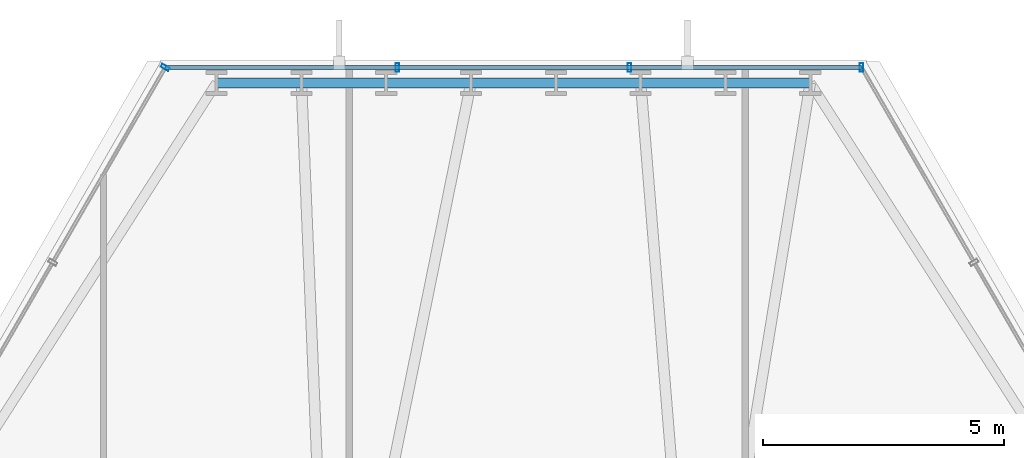
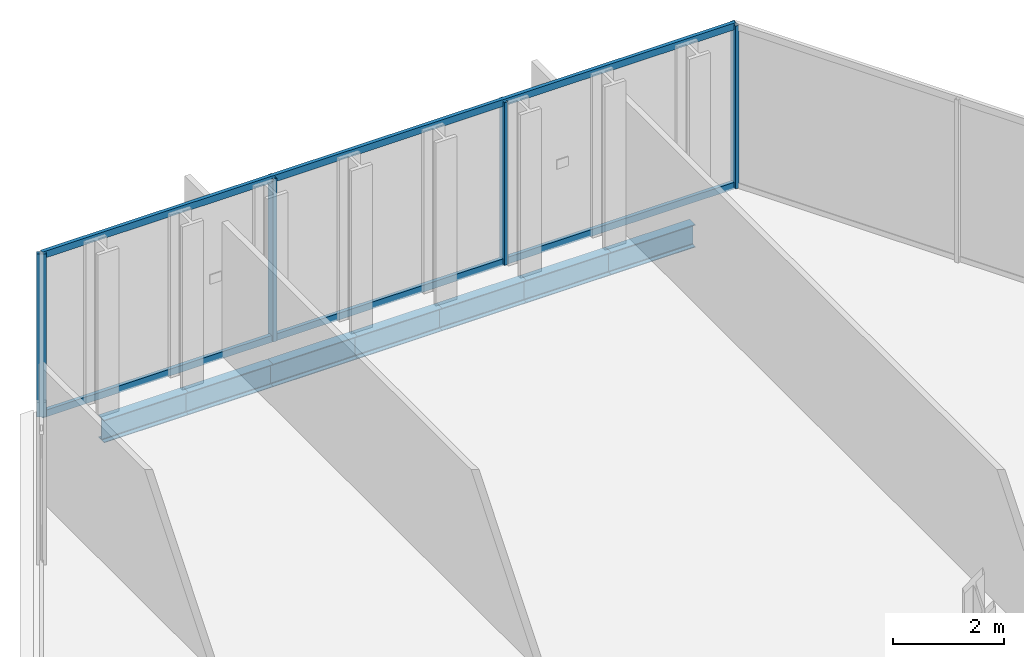
# One storey, part 24 of 33: 7 beams, 6 members, 2 elements without a shape of their own.
"""IFC4 building model written with IfcOpenShell, lengths in metres."""

from ifc_helpers import new_model, si_unit, direction, frame, origin, origin_2d, place, context, subcontext, project, spatial, hollow_rectangle, i_section, extrude, material, layer, layer_set, material_profile, profile_set, type_object, element, aggregate, save


model = new_model("IFC4")

# Units and contexts
model_context = context("Model", 3, precision=1e-05, world=origin(), true_north=direction((0.0, 1.0)))
body_context = subcontext(model_context, "Body", "Model", "MODEL_VIEW")
ifc_project = project(units=[si_unit("LENGTHUNIT", "METRE"), si_unit("AREAUNIT", "SQUARE_METRE"), si_unit("VOLUMEUNIT", "CUBIC_METRE"), si_unit("PLANEANGLEUNIT", "RADIAN"), si_unit("MASSUNIT", "GRAM", prefix="KILO")], contexts=[model_context])

# Site, building, storey
site_placement = place(None, origin())
site = spatial("IfcSite", under=ifc_project, at=site_placement, CompositionType="ELEMENT")
building_placement = place(site_placement, origin())
building = spatial("IfcBuilding", under=site, at=building_placement, Name="Ndaravel Arena Tower", CompositionType="ELEMENT")
storey_placement = place(building_placement, frame((0.0, 0.0, 81.60009765625)))
storey = spatial("IfcBuildingStorey", under=building, at=storey_placement, Name="L18", CompositionType="ELEMENT", Elevation=81.60009765625)

# Beams
ifc_material_1 = material(Name="Steel S355", Category="steel")
ifc_material_profile_1 = material_profile(ifc_material_1, i_section(OverallWidth=0.199951171875, OverallDepth=0.5, WebThickness=0.01025390625, FlangeThickness=0.01611328125, FilletRadius=0.02099609375, at=origin_2d()), Name="IPE 500")
ifc_profile_set_1 = profile_set([ifc_material_profile_1], Name="Steel S355")
beam_type = type_object("IfcBeamType", Name="BM-SPAN-IPE500", PredefinedType="SPANDREL", material=ifc_profile_set_1)
beam_1_placement = place(storey_placement, frame((48.147216796875, 45.575927734375, -0.47021484375), z_axis=(-1.0, 0.0, 0.0), x_axis=(0.0, -1.0, 0.0)))
element("IfcBeam", 1, at=beam_1_placement, inside=storey, type_object=beam_type, Name="L18 Perimeter Spandrel Beam SP-11", PredefinedType="SPANDREL", context=body_context, shape_type="SweptSolid", body=[
    extrude(i_section(OverallWidth=0.199951171875, OverallDepth=0.5, WebThickness=0.01025390625, FlangeThickness=0.01611328125, FilletRadius=0.02099609375, at=origin_2d()), origin(), (0.0, 0.0, 1.0), 1.756591796875),
])
beam_2_placement = place(storey_placement, frame((46.390625, 45.575927734375, -0.47021484375), z_axis=(-1.0, 0.0, 0.0), x_axis=(0.0, -1.0, 0.0)))
element("IfcBeam", 2, at=beam_2_placement, inside=storey, type_object=beam_type, Name="L18 Perimeter Spandrel Beam SP-12", PredefinedType="SPANDREL", context=body_context, shape_type="SweptSolid", body=[
    extrude(i_section(OverallWidth=0.199951171875, OverallDepth=0.5, WebThickness=0.01025390625, FlangeThickness=0.01611328125, FilletRadius=0.02099609375, at=origin_2d()), origin(), (0.0, 0.0, 1.0), 1.756103515625),
])
for number, where, z_axis, x_axis, name in (
    (3, (44.634521484375, 45.575927734375, -0.47021484375), (-1.0, 0.0, 0.0), (0.0, -1.0, 0.0), "L18 Perimeter Spandrel Beam SP-13"),
    (4, (42.878173828125, 45.575927734375, -0.47021484375), (-1.0, 0.0, 0.0), (0.0, -1.0, 0.0), "L18 Perimeter Spandrel Beam SP-14"),
    (5, (41.121826171875, 45.575927734375, -0.47021484375), (-1.0, 0.0, 0.0), (0.0, -1.0, 0.0), "L18 Perimeter Spandrel Beam SP-15"),
):
    element("IfcBeam", number, at=place(storey_placement, frame(where, z_axis=z_axis, x_axis=x_axis)), inside=storey, type_object=beam_type, Name=name, PredefinedType="SPANDREL", context=body_context, shape_type="SweptSolid", body=[
        extrude(i_section(OverallWidth=0.199951171875, OverallDepth=0.5, WebThickness=0.01025390625, FlangeThickness=0.01611328125, FilletRadius=0.02099609375, at=origin_2d()), origin(), (0.0, 0.0, 1.0), 1.75634765625),
    ])
beam_3_placement = place(storey_placement, frame((39.365478515625, 45.575927734375, -0.47021484375), z_axis=(-1.0, 0.0, 0.0), x_axis=(0.0, -1.0, 0.0)))
element("IfcBeam", 6, at=beam_3_placement, inside=storey, type_object=beam_type, Name="L18 Perimeter Spandrel Beam SP-16", PredefinedType="SPANDREL", context=body_context, shape_type="SweptSolid", body=[
    extrude(i_section(OverallWidth=0.199951171875, OverallDepth=0.5, WebThickness=0.01025390625, FlangeThickness=0.01611328125, FilletRadius=0.02099609375, at=origin_2d()), origin(), (0.0, 0.0, 1.0), 1.756103515625),
])
beam_4_placement = place(storey_placement, frame((37.609375, 45.575927734375, -0.47021484375), z_axis=(-1.0, 0.0, 0.0), x_axis=(0.0, -1.0, 0.0)))
element("IfcBeam", 7, at=beam_4_placement, inside=storey, type_object=beam_type, Name="L18 Perimeter Spandrel Beam SP-17", PredefinedType="SPANDREL", context=body_context, shape_type="SweptSolid", body=[
    extrude(i_section(OverallWidth=0.199951171875, OverallDepth=0.5, WebThickness=0.01025390625, FlangeThickness=0.01611328125, FilletRadius=0.02099609375, at=origin_2d()), origin(), (0.0, 0.0, 1.0), 1.756591796875),
])

# Curtain wall, members
ifc_material_2 = material(Name="Aluminium", Category="aluminium")
ifc_layer_1 = layer(ifc_material_2, 0.179931640625)
ifc_layer_set_1 = layer_set([ifc_layer_1], Name="Aluminium")
curtain_wall_type_1 = type_object("IfcCurtainWallType", Name="CW-SYS-01", PredefinedType="NOTDEFINED", material=ifc_layer_set_1)
curtain_wall_1_placement = place(storey_placement, origin())
curtain_wall_1 = element("IfcCurtainWall", 8, at=curtain_wall_1_placement, inside=storey, type_object=curtain_wall_type_1, Name="L18 Faceted Crystal Curtain Wall CW-L18-E04", PredefinedType="NOTDEFINED")
ifc_material_3 = material(Name="Aluminium", Category="aluminium")
ifc_material_profile_2 = material_profile(ifc_material_3, hollow_rectangle(XDim=0.074951171875, YDim=0.179931640625, WallThickness=0.00390625, at=origin_2d()), Name="CW MULLION 75x180x4")
ifc_profile_set_2 = profile_set([ifc_material_profile_2], Name="Aluminium")
member_type_1 = type_object("IfcMemberType", Name="MEM-CW-MUL180", PredefinedType="MULLION", material=ifc_profile_set_2)
member_1_placement = place(storey_placement, frame((49.2099609375, 45.89599609375, 0.0), z_axis=(0.0, 0.0, 1.0), x_axis=(-1.0, 0.0, 0.0)))
member_1 = element("IfcMember", 9, at=member_1_placement, type_object=member_type_1, Name="CW-L18-E04 Mullion 00", PredefinedType="MULLION", context=body_context, shape_type="SweptSolid", body=[
    extrude(hollow_rectangle(XDim=0.074951171875, YDim=0.179931640625, WallThickness=0.00390625, at=origin_2d()), origin(), (0.0, 0.0, 1.0), 3.579833984375),
])
member_2_placement = place(storey_placement, frame((44.4033203125, 45.89599609375, 0.0), z_axis=(0.0, 0.0, 1.0), x_axis=(-1.0, 0.0, 0.0)))
member_2 = element("IfcMember", 10, at=member_2_placement, type_object=member_type_1, Name="CW-L18-E04 Mullion 01", PredefinedType="MULLION", context=body_context, shape_type="SweptSolid", body=[
    extrude(hollow_rectangle(XDim=0.074951171875, YDim=0.179931640625, WallThickness=0.00390625, at=origin_2d()), origin(), (0.0, 0.0, 1.0), 3.579833984375),
])
member_3_placement = place(storey_placement, frame((39.5966796875, 45.89599609375, 0.0), z_axis=(0.0, 0.0, 1.0), x_axis=(-1.0, 0.0, 0.0)))
member_3 = element("IfcMember", 11, at=member_3_placement, type_object=member_type_1, Name="CW-L18-E04 Mullion 02", PredefinedType="MULLION", context=body_context, shape_type="SweptSolid", body=[
    extrude(hollow_rectangle(XDim=0.074951171875, YDim=0.179931640625, WallThickness=0.00390625, at=origin_2d()), origin(), (0.0, 0.0, 1.0), 3.579833984375),
])

# Curtain wall, member
ifc_material_4 = material(Name="Aluminium", Category="aluminium")
ifc_layer_2 = layer(ifc_material_4, 0.179931640625)
ifc_layer_set_2 = layer_set([ifc_layer_2], Name="Aluminium")
curtain_wall_type_2 = type_object("IfcCurtainWallType", Name="CW-SYS-03", PredefinedType="NOTDEFINED", material=ifc_layer_set_2)
curtain_wall_2_placement = place(storey_placement, origin())
curtain_wall_2 = element("IfcCurtainWall", 12, at=curtain_wall_2_placement, inside=storey, type_object=curtain_wall_type_2, Name="L18 Faceted Crystal Curtain Wall CW-L18-E05", PredefinedType="NOTDEFINED")
member_4_placement = place(storey_placement, frame((34.7900390625, 45.89599609375, 0.0), z_axis=(0.0, 0.0, 1.0), x_axis=(-0.5, -0.866025403784, 0.0)))
member_4 = element("IfcMember", 13, at=member_4_placement, type_object=member_type_1, Name="CW-L18-E05 Mullion 00", PredefinedType="MULLION", context=body_context, shape_type="SweptSolid", body=[
    extrude(hollow_rectangle(XDim=0.074951171875, YDim=0.179931640625, WallThickness=0.00390625, at=origin_2d()), origin(), (0.0, 0.0, 1.0), 3.579833984375),
])
aggregate(curtain_wall_2, [member_4])

# Member
ifc_material_5 = material(Name="Aluminium", Category="aluminium")
ifc_material_profile_3 = material_profile(ifc_material_5, hollow_rectangle(XDim=0.074951171875, YDim=0.14990234375, WallThickness=0.00390625, at=origin_2d()), Name="CW TRANSOM 75x150x4")
ifc_profile_set_3 = profile_set([ifc_material_profile_3], Name="Aluminium")
member_type_2 = type_object("IfcMemberType", Name="MEM-CW-TRN150", PredefinedType="USERDEFINED", material=ifc_profile_set_3)
member_5_placement = place(storey_placement, frame((49.2099609375, 45.89599609375, 0.039794921875), z_axis=(-1.0, 0.0, 0.0), x_axis=(0.0, -1.0, 0.0)))
member_5 = element("IfcMember", 14, at=member_5_placement, type_object=member_type_2, Name="CW-L18-E04 Transom 01", ObjectType="TRANSOM", PredefinedType="USERDEFINED", context=body_context, shape_type="SweptSolid", body=[
    extrude(hollow_rectangle(XDim=0.074951171875, YDim=0.14990234375, WallThickness=0.00390625, at=origin_2d()), origin(), (0.0, 0.0, 1.0), 14.419921875),
])

member_6_placement = place(storey_placement, frame((49.2099609375, 45.89599609375, 3.539794921875), z_axis=(-1.0, 0.0, 0.0), x_axis=(0.0, -1.0, 0.0)))
member_6 = element("IfcMember", 15, at=member_6_placement, type_object=member_type_2, Name="CW-L18-E04 Transom 02", ObjectType="TRANSOM", PredefinedType="USERDEFINED", context=body_context, shape_type="SweptSolid", body=[
    extrude(hollow_rectangle(XDim=0.074951171875, YDim=0.14990234375, WallThickness=0.00390625, at=origin_2d()), origin(), (0.0, 0.0, 1.0), 14.419921875),
])

aggregate(curtain_wall_1, [member_1, member_2, member_3, member_5, member_6])

save(model, "model.ifc")
